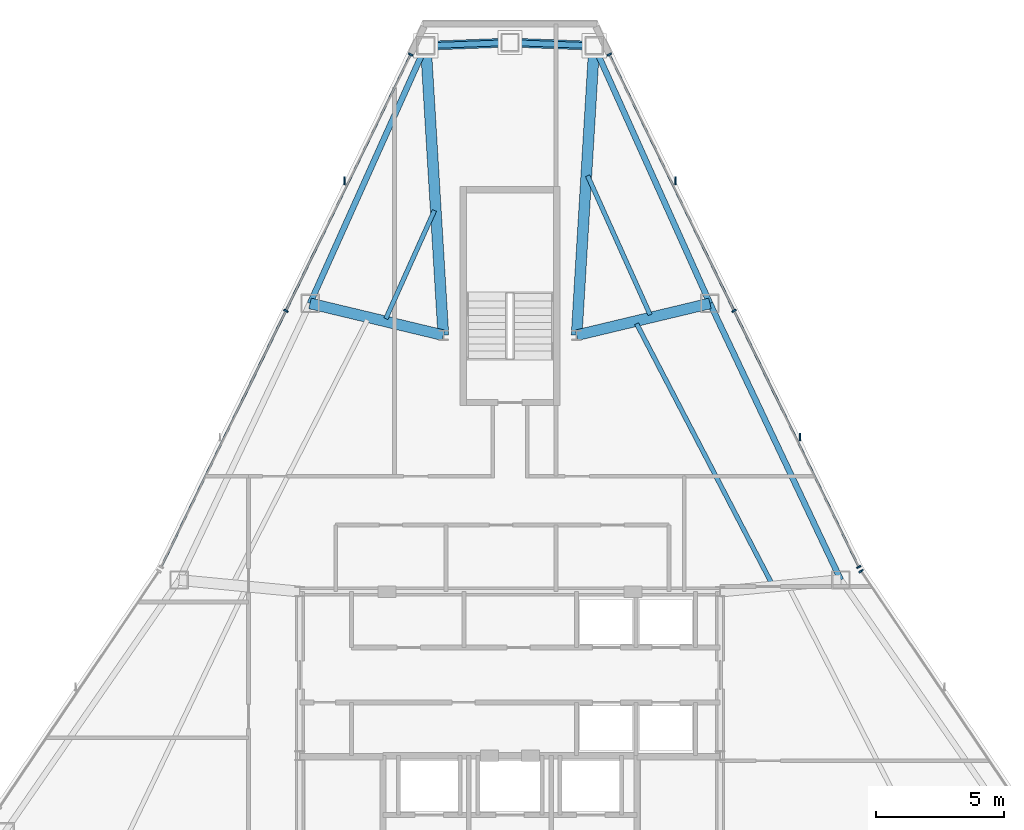
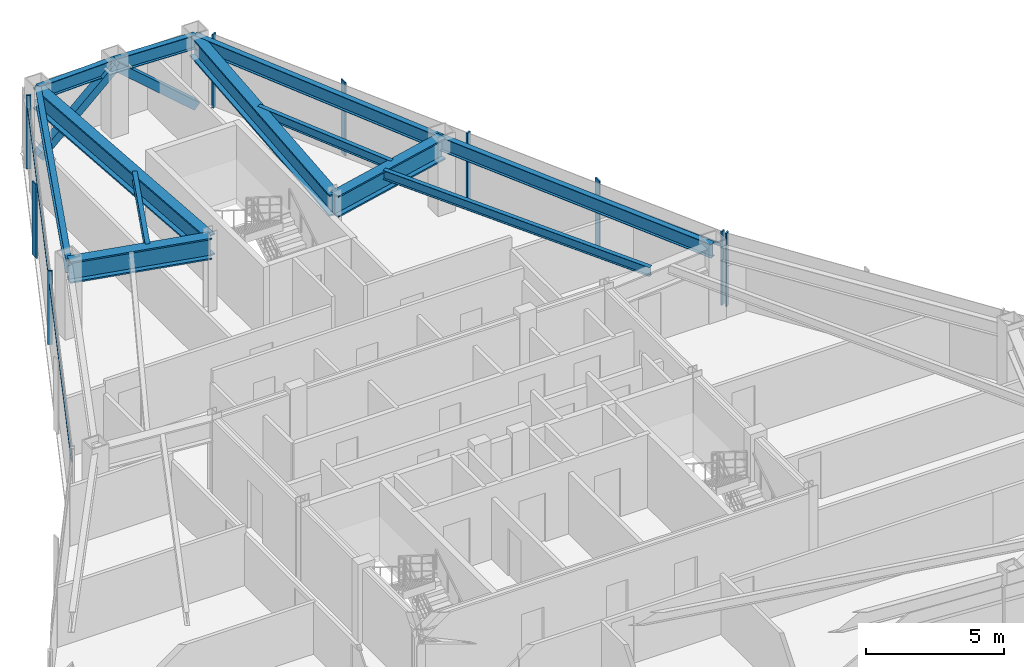
# One storey, part 7 of 12: 13 members, 12 beams, 3 elements without a shape of their own.
"""IFC4 building model written with IfcOpenShell, lengths in metres."""

import ifcopenshell
import ifcopenshell.guid

model = None  # the IFC model being written
_history = None  # IfcOwnerHistory: only IFC2X3 demands one
_inside = {}  # id of a spatial element -> (the spatial element, [elements in it])
_under = {}  # id of a project, library or spatial element -> (it, [spatial elements below it])
_declared = {}  # id of a project -> (the project, [libraries it declares])
_typed = {}  # id of a type object -> (the type object, [elements of that type])
_made_of = {}  # id of a material, layer set ... -> (it, [elements and type objects made of it])


def new_model(schema):
    """Start an empty IFC model of exactly this schema.

    Asked for "IFC4X3", IfcOpenShell would pick the latest addendum, in which some entities
    have other attributes; the version numbers below select the first issue.
    IFC2X3 requires an IfcOwnerHistory on every rooted entity: one is made here for all.
    """
    global model, _history
    if schema == "IFC4X3":
        model = ifcopenshell.file(schema_version=(4, 3, 0, 0))
    else:
        model = ifcopenshell.file(schema=schema)
    _inside.clear()
    _under.clear()
    _declared.clear()
    _typed.clear()
    _made_of.clear()
    _history = None
    if model.schema == "IFC2X3":
        org = make("IfcOrganization", Name="unknown")
        user = make(
            "IfcPersonAndOrganization",
            ThePerson=make("IfcPerson", FamilyName="unknown"),
            TheOrganization=org,
        )
        app = make(
            "IfcApplication",
            ApplicationDeveloper=org,
            Version="unknown",
            ApplicationFullName="unknown",
            ApplicationIdentifier="unknown",
        )
        _history = make(
            "IfcOwnerHistory",
            OwningUser=user,
            OwningApplication=app,
            ChangeAction="ADDED",
            CreationDate=0,
        )
    return model


def make(cls, **values):
    """One entity of the class cls with the attributes given. An attribute that is None is left unset."""
    return model.create_entity(
        cls, **{name: value for name, value in values.items() if value is not None}
    )


def rooted(cls, **values):
    """An entity with a GlobalId (a new one), such as an element, a storey or a relation."""
    return make(cls, GlobalId=ifcopenshell.guid.new(), OwnerHistory=_history, **values)


def si_unit(unit_type, name, prefix=None):
    """IfcSIUnit, for example si_unit("LENGTHUNIT", "METRE", prefix="MILLI")."""
    return make("IfcSIUnit", UnitType=unit_type, Prefix=prefix, Name=name)


def assignment(units):
    """IfcUnitAssignment: the units of a project."""
    return None if units is None else make("IfcUnitAssignment", Units=units)


def point(xyz):
    """IfcCartesianPoint."""
    return None if xyz is None else make("IfcCartesianPoint", Coordinates=xyz)


def direction(xyz):
    """IfcDirection."""
    return None if xyz is None else make("IfcDirection", DirectionRatios=xyz)


def frame(location, z_axis=None, x_axis=None):
    """IfcAxis2Placement3D, a coordinate frame: its origin and axes. An axis left out is left unset."""
    return make(
        "IfcAxis2Placement3D",
        Location=point(location),
        Axis=direction(z_axis),
        RefDirection=direction(x_axis),
    )


def frame_2d(location, x_axis=None):
    """IfcAxis2Placement2D, a coordinate frame in the plane: its origin and x axis."""
    return make(
        "IfcAxis2Placement2D", Location=point(location), RefDirection=direction(x_axis)
    )


def origin():
    """The frame at (0, 0, 0) with its axes left unset."""
    return frame((0.0, 0.0, 0.0))


def origin_2d():
    """The frame at (0, 0) in the plane with its x axis left unset."""
    return frame_2d((0.0, 0.0))


def place(relative_to, where):
    """IfcLocalPlacement: puts the frame where relative to a parent placement (None: the world)."""
    return make(
        "IfcLocalPlacement", PlacementRelTo=relative_to, RelativePlacement=where
    )


def context(
    kind, dimensions, precision=None, world=None, true_north=None, identifier=None
):
    """IfcGeometricRepresentationContext, for example the 3D "Model" context."""
    return make(
        "IfcGeometricRepresentationContext",
        ContextIdentifier=identifier,
        ContextType=kind,
        CoordinateSpaceDimension=dimensions,
        Precision=precision,
        WorldCoordinateSystem=world,
        TrueNorth=true_north,
    )


def subcontext(parent, identifier, kind, view, scale=None):
    """IfcGeometricRepresentationSubContext, for example "Body" below "Model"."""
    return make(
        "IfcGeometricRepresentationSubContext",
        ContextIdentifier=identifier,
        ContextType=kind,
        ParentContext=parent,
        TargetScale=scale,
        TargetView=view,
    )


def project(units=None, contexts=None):
    """IfcProject with its units and contexts."""
    return rooted(
        "IfcProject",
        Name="project",
        RepresentationContexts=contexts,
        UnitsInContext=assignment(units),
    )


def spatial(cls, under=None, at=None, **own):
    """A site, building, storey or space (cls), placed at a placement, below another one or the project."""
    s = rooted(cls, ObjectPlacement=at, **own)
    if under is not None:
        _under.setdefault(under.id(), (under, []))[1].append(s)
    return s


def profile(cls, at=None, kind="AREA", **sizes):
    """A parametric profile (cls). Its sizes go by their IFC names, for example OverallWidth=200.0."""
    return make(cls, ProfileType=kind, Position=at, **sizes)


def rectangle(**sizes):
    """IfcRectangleProfileDef."""
    return profile("IfcRectangleProfileDef", **sizes)


def hollow_rectangle(**sizes):
    """IfcRectangleHollowProfileDef."""
    return profile("IfcRectangleHollowProfileDef", **sizes)


def i_section(**sizes):
    """IfcIShapeProfileDef."""
    return profile("IfcIShapeProfileDef", **sizes)


def extrude(swept, where, along, depth):
    """IfcExtrudedAreaSolid: the profile swept, set in the frame where, extruded along a direction by depth."""
    return make(
        "IfcExtrudedAreaSolid",
        SweptArea=swept,
        Position=where,
        ExtrudedDirection=direction(along),
        Depth=depth,
    )


def shape(context_of_items, identifier, shape_type, items):
    """IfcShapeRepresentation: the items that make up one representation, for example the "Body"."""
    return make(
        "IfcShapeRepresentation",
        ContextOfItems=context_of_items,
        RepresentationIdentifier=identifier,
        RepresentationType=shape_type,
        Items=items,
    )


def source(mapping_origin, context_of_items, identifier, shape_type, items):
    """IfcRepresentationMap: a shape defined once, which mapped items show again and again."""
    return make(
        "IfcRepresentationMap",
        MappingOrigin=mapping_origin,
        MappedRepresentation=shape(context_of_items, identifier, shape_type, items),
    )


def transform(
    local_origin,
    x_axis=None,
    y_axis=None,
    z_axis=None,
    scale=None,
    scale2=None,
    scale3=None,
    uniform=True,
):
    """IfcCartesianTransformationOperator3D, or its non-uniform kind. x_axis, y_axis, z_axis: its Axis1, 2, 3."""
    if uniform:
        return make(
            "IfcCartesianTransformationOperator3D",
            Axis1=direction(x_axis),
            Axis2=direction(y_axis),
            LocalOrigin=point(local_origin),
            Scale=scale,
            Axis3=direction(z_axis),
        )
    return make(
        "IfcCartesianTransformationOperator3DnonUniform",
        Axis1=direction(x_axis),
        Axis2=direction(y_axis),
        LocalOrigin=point(local_origin),
        Scale=scale,
        Axis3=direction(z_axis),
        Scale2=scale2,
        Scale3=scale3,
    )


def mapped(mapping_source, mapping_target):
    """IfcMappedItem: shows the shape of a source again, moved by a transform."""
    return make(
        "IfcMappedItem", MappingSource=mapping_source, MappingTarget=mapping_target
    )


def material(Name=None, Category=None):
    """IfcMaterial."""
    return make("IfcMaterial", Name=Name, Category=Category)


def layer(
    of_material, thickness, ventilated=None, Name=None, Category=None, Priority=None
):
    """IfcMaterialLayer: one layer of a wall or slab, of a material (None: an air gap)."""
    return make(
        "IfcMaterialLayer",
        Material=of_material,
        LayerThickness=thickness,
        IsVentilated=ventilated,
        Name=Name,
        Category=Category,
        Priority=Priority,
    )


def layer_set(layers, Name=None):
    """IfcMaterialLayerSet."""
    return make("IfcMaterialLayerSet", MaterialLayers=layers, LayerSetName=Name)


def material_profile(
    of_material, cross_section, Name=None, Category=None, Priority=None
):
    """IfcMaterialProfile: a cross section and its material."""
    return make(
        "IfcMaterialProfile",
        Name=Name,
        Material=of_material,
        Profile=cross_section,
        Priority=Priority,
        Category=Category,
    )


def profile_set(profiles, Name=None, composite=None):
    """IfcMaterialProfileSet."""
    return make(
        "IfcMaterialProfileSet",
        Name=Name,
        MaterialProfiles=profiles,
        CompositeProfile=composite,
    )


def made_of(thing, what):
    """Note that an element or type object is made of a material, layer set ...; save() writes the relation."""
    if what is not None:
        _made_of.setdefault(what.id(), (what, []))[1].append(thing)
    return thing


def type_object(cls, material=None, **own):
    """A type object (cls), such as IfcWallType, which elements share."""
    return made_of(rooted(cls, **own), material)


def type_shapes(of_type, sources):
    """Give a type object the sources (RepresentationMaps) that its elements show as mapped items."""
    of_type.RepresentationMaps = sources


def element(
    cls,
    number,
    at=None,
    inside=None,
    cuts=None,
    type_object=None,
    material=None,
    context=None,
    identifier="Body",
    shape_type=None,
    held_by="IfcProductDefinitionShape",
    body=None,
    shapes=None,
    **own,
):
    """One element of the class cls, such as IfcWall. Its Tag is "e" and its number.

    at: its placement. inside: the storey or other place that contains it. cuts: it is an
    opening in that element (IfcRelVoidsElement). A single representation is given by context,
    identifier, shape_type and body (its items); several are given by shapes. held_by: the class
    of the entity that holds the representations. save() writes the other relations.
    """
    e = rooted(cls, Tag="e%d" % number, ObjectPlacement=at, **own)
    if body is not None:
        shapes = [shape(context, identifier, shape_type, body)]
    if shapes is not None:
        e.Representation = make(held_by, Representations=shapes)
    if inside is not None:
        _inside.setdefault(inside.id(), (inside, []))[1].append(e)
    if cuts is not None:
        rooted(
            "IfcRelVoidsElement", RelatingBuildingElement=cuts, RelatedOpeningElement=e
        )
    if type_object is not None:
        _typed.setdefault(type_object.id(), (type_object, []))[1].append(e)
    return made_of(e, material)


def aggregate(whole, parts):
    """IfcRelAggregates: a whole, such as a stair, and the parts it consists of."""
    return rooted("IfcRelAggregates", RelatingObject=whole, RelatedObjects=parts)


def save(model, path):
    """Write the relations noted so far, then the file.

    IfcRelAggregates (storeys below a building ...), IfcRelContainedInSpatialStructure (elements
    in a storey), IfcRelDefinesByType, IfcRelAssociatesMaterial and IfcRelDeclares: one each for
    every whole, place, type object, material and project.
    """
    for whole, parts in _under.values():
        aggregate(whole, parts)
    for where, things in _inside.values():
        rooted(
            "IfcRelContainedInSpatialStructure",
            RelatedElements=things,
            RelatingStructure=where,
        )
    for kind, things in _typed.values():
        rooted("IfcRelDefinesByType", RelatedObjects=things, RelatingType=kind)
    for what, things in _made_of.values():
        rooted("IfcRelAssociatesMaterial", RelatedObjects=things, RelatingMaterial=what)
    for by, libraries in _declared.values():
        rooted("IfcRelDeclares", RelatingContext=by, RelatedDefinitions=libraries)
    model.write(path)


model = new_model("IFC4")

# Units and contexts
model_context = context("Model", 3, precision=1e-05, world=origin(), true_north=direction((0.0, 1.0)))
body_context = subcontext(model_context, "Body", "Model", "MODEL_VIEW")
ifc_project = project(units=[si_unit("LENGTHUNIT", "METRE"), si_unit("AREAUNIT", "SQUARE_METRE"), si_unit("VOLUMEUNIT", "CUBIC_METRE"), si_unit("PLANEANGLEUNIT", "RADIAN"), si_unit("MASSUNIT", "GRAM", prefix="KILO")], contexts=[model_context])

# Site, building, storey
site_placement = place(None, origin())
site = spatial("IfcSite", under=ifc_project, at=site_placement, CompositionType="ELEMENT")
building_placement = place(site_placement, origin())
building = spatial("IfcBuilding", under=site, at=building_placement, Name="Varakhsha Concourse Tower", CompositionType="ELEMENT")
storey_placement = place(building_placement, frame((0.0, 0.0, 204.89990234375)))
storey = spatial("IfcBuildingStorey", under=building, at=storey_placement, Name="L58", CompositionType="ELEMENT", Elevation=204.89990234375)

# Beams
ifc_material_1 = material(Name="Structural Steel ASTM A992 Grade 50", Category="steel")
ifc_material_profile_1 = material_profile(ifc_material_1, i_section(OverallWidth=0.177978515625, OverallDepth=0.406982421875, WebThickness=0.008056640625, FlangeThickness=0.012939453125, at=origin_2d()), Name="W16X40")
ifc_profile_set_1 = profile_set([ifc_material_profile_1], Name="Structural Steel ASTM A992 Grade 50")
beam_type_1 = type_object("IfcBeamType", Name="BM-JST-W16X40", PredefinedType="JOIST", material=ifc_profile_set_1)
beam_1_placement = place(storey_placement, frame((37.05419921875, 46.068359375, 3.046630859375), z_axis=(-0.409947870427, -0.912108953762, 0.0), x_axis=(0.912108953762, -0.409947870427, 0.0)))
element("IfcBeam", 1, at=beam_1_placement, inside=storey, type_object=beam_type_1, Name="BM-TJST-L58-03", PredefinedType="JOIST", context=body_context, shape_type="SweptSolid", body=[
    extrude(i_section(OverallWidth=0.177978515625, OverallDepth=0.406982421875, WebThickness=0.008056640625, FlangeThickness=0.012939453125, at=origin_2d()), origin(), (0.0, 0.0, 1.0), 4.6279296875),
])
beam_2_placement = place(storey_placement, frame((50.219970703125, 31.49609375, 3.046630859375), z_axis=(-0.461466246879, 0.887157766686, 0.0), x_axis=(-0.887157766686, -0.461466246879, 0.0)))
element("IfcBeam", 2, at=beam_2_placement, inside=storey, type_object=beam_type_1, Name="BM-TJST-L58-17", PredefinedType="JOIST", context=body_context, shape_type="SweptSolid", body=[
    extrude(i_section(OverallWidth=0.177978515625, OverallDepth=0.406982421875, WebThickness=0.008056640625, FlangeThickness=0.012939453125, at=origin_2d()), origin(), (0.0, 0.0, 1.0), 11.444580078125),
])
beam_3_placement = place(storey_placement, frame((45.466796875, 41.99609375, 3.046630859375), z_axis=(-0.409938117482, 0.912113337166, 0.0), x_axis=(-0.912113337166, -0.409938117482, 0.0)))
element("IfcBeam", 3, at=beam_3_placement, inside=storey, type_object=beam_type_1, Name="BM-TJST-L58-18", PredefinedType="JOIST", context=body_context, shape_type="SweptSolid", body=[
    extrude(i_section(OverallWidth=0.177978515625, OverallDepth=0.406982421875, WebThickness=0.008056640625, FlangeThickness=0.012939453125, at=origin_2d()), origin(), (0.0, 0.0, 1.0), 5.9501953125),
])
ifc_material_profile_2 = material_profile(ifc_material_1, i_section(OverallWidth=0.423095703125, OverallDepth=0.947998046875, WebThickness=0.0380859375, FlangeThickness=0.06396484375, at=origin_2d()), Name="W36X302")
ifc_profile_set_2 = profile_set([ifc_material_profile_2], Name="Structural Steel ASTM A992 Grade 50")
beam_type_2 = type_object("IfcBeamType", Name="BM-OUTR-W36X302", PredefinedType="USERDEFINED", material=ifc_profile_set_2)
for number, where, z_axis, x_axis, name in (
    (4, (42.60009765625, 41.199951171875, 2.776123046875), (0.060381689378, 0.99817536114, 0.0), (-0.99817536114, 0.060381689378, 0.0), "L58 Radial Floor Girder 01"),
    (5, (37.39990234375, 41.199951171875, 2.776123046875), (-0.060381689378, 0.99817536114, 0.0), (-0.99817536114, -0.060381689378, 0.0), "L58 Radial Floor Girder 03"),
):
    element("IfcBeam", number, at=place(storey_placement, frame(where, z_axis=z_axis, x_axis=x_axis)), inside=storey, type_object=beam_type_2, Name=name, ObjectType="GIRDER", PredefinedType="USERDEFINED", context=body_context, shape_type="SweptSolid", body=[
        extrude(i_section(OverallWidth=0.423095703125, OverallDepth=0.947998046875, WebThickness=0.0380859375, FlangeThickness=0.06396484375, at=origin_2d()), origin(), (0.0, 0.0, 1.0), 11.313232421875),
    ])
for number, where, z_axis, x_axis, name in (
    (6, (37.39990234375, 41.199951171875, 2.776123046875), (-0.972612339094, 0.232433297619, 0.0), (-0.232433297619, -0.972612339094, 0.0), "L58 Radial Floor Girder 04"),
    (7, (42.60009765625, 41.199951171875, 2.776123046875), (0.972612339094, 0.232433297619, 0.0), (-0.232433297619, 0.972612339094, 0.0), "L58 Radial Floor Girder 18"),
):
    element("IfcBeam", number, at=place(storey_placement, frame(where, z_axis=z_axis, x_axis=x_axis)), inside=storey, type_object=beam_type_2, Name=name, ObjectType="GIRDER", PredefinedType="USERDEFINED", context=body_context, shape_type="SweptSolid", body=[
        extrude(i_section(OverallWidth=0.423095703125, OverallDepth=0.947998046875, WebThickness=0.0380859375, FlangeThickness=0.06396484375, at=origin_2d()), origin(), (0.0, 0.0, 1.0), 5.346435546875),
    ])
ifc_material_profile_3 = material_profile(ifc_material_1, i_section(OverallWidth=0.22900390625, OverallDepth=0.612060546875, WebThickness=0.011962890625, FlangeThickness=0.02001953125, at=origin_2d()), Name="W24X84")
ifc_profile_set_3 = profile_set([ifc_material_profile_3], Name="Structural Steel ASTM A992 Grade 50")
beam_type_3 = type_object("IfcBeamType", Name="BM-SPAN-W24X84", PredefinedType="SPANDREL", material=ifc_profile_set_3)
for number, where, z_axis, x_axis, name in (
    (8, (43.283203125, 52.492431640625, 2.944091796875), (-0.999273198752, 0.038119211106, 0.0), (-0.038119211106, -0.999273198752, 0.0), "BM-SPAN-L58-01"),
    (9, (40.0, 52.61767578125, 2.944091796875), (-0.999273198752, -0.038119211106, 0.0), (0.038119211106, -0.999273198752, 0.0), "BM-SPAN-L58-02"),
):
    element("IfcBeam", number, at=place(storey_placement, frame(where, z_axis=z_axis, x_axis=x_axis)), inside=storey, type_object=beam_type_3, Name=name, PredefinedType="SPANDREL", context=body_context, shape_type="SweptSolid", body=[
        extrude(i_section(OverallWidth=0.22900390625, OverallDepth=0.612060546875, WebThickness=0.011962890625, FlangeThickness=0.02001953125, at=origin_2d()), origin(), (0.0, 0.0, 1.0), 3.28564453125),
    ])
beam_4_placement = place(storey_placement, frame((36.716796875, 52.492431640625, 2.944091796875), z_axis=(-0.40994450771, -0.912110465129, 0.0), x_axis=(0.912110465129, -0.40994450771, 0.0)))
element("IfcBeam", 10, at=beam_4_placement, inside=storey, type_object=beam_type_3, Name="BM-SPAN-L58-03", PredefinedType="SPANDREL", context=body_context, shape_type="SweptSolid", body=[
    extrude(i_section(OverallWidth=0.22900390625, OverallDepth=0.612060546875, WebThickness=0.011962890625, FlangeThickness=0.02001953125, at=origin_2d()), origin(), (0.0, 0.0, 1.0), 11.01806640625),
])
beam_5_placement = place(storey_placement, frame((52.90625, 31.651611328125, 2.944091796875), z_axis=(-0.427721486509, 0.903910576318, 0.0), x_axis=(-0.903910576318, -0.427721486509, 0.0)))
element("IfcBeam", 11, at=beam_5_placement, inside=storey, type_object=beam_type_3, Name="BM-SPAN-L58-17", PredefinedType="SPANDREL", context=body_context, shape_type="SweptSolid", body=[
    extrude(i_section(OverallWidth=0.22900390625, OverallDepth=0.612060546875, WebThickness=0.011962890625, FlangeThickness=0.02001953125, at=origin_2d()), origin(), (0.0, 0.0, 1.0), 11.938232421875),
])
beam_6_placement = place(storey_placement, frame((47.800048828125, 42.442626953125, 2.944091796875), z_axis=(-0.40994450771, 0.912110465129, 0.0), x_axis=(-0.912110465129, -0.40994450771, 0.0)))
element("IfcBeam", 12, at=beam_6_placement, inside=storey, type_object=beam_type_3, Name="BM-SPAN-L58-18", PredefinedType="SPANDREL", context=body_context, shape_type="SweptSolid", body=[
    extrude(i_section(OverallWidth=0.22900390625, OverallDepth=0.612060546875, WebThickness=0.011962890625, FlangeThickness=0.02001953125, at=origin_2d()), origin(), (0.0, 0.0, 1.0), 11.01806640625),
])

# Members
ifc_material_2 = material(Name="Structural Steel ASTM A500 Grade C", Category="steel")
ifc_material_profile_4 = material_profile(ifc_material_2, hollow_rectangle(XDim=0.35009765625, YDim=0.35009765625, WallThickness=0.01611328125, at=origin_2d()), Name="HSS 350x350x16")
ifc_profile_set_4 = profile_set([ifc_material_profile_4], Name="Structural Steel ASTM A500 Grade C")
member_type_1 = type_object("IfcMemberType", Name="MB-TUBE-HSS350", PredefinedType="BRACE", material=ifc_profile_set_4)
shared_shape_1 = source(origin(), body_context, "Body", "SweptSolid", [
    extrude(hollow_rectangle(XDim=0.35009765625, YDim=0.35009765625, WallThickness=0.01611328125, at=origin_2d()), origin(), (0.0, 0.0, 1.0), 4.33642578125),
])
type_shapes(member_type_1, [shared_shape_1])
for number, where, z_axis, x_axis, name in (
    (13, (43.283203125, 52.492431640625, 0.1201171875), (-0.757124713956, 0.02888198827, 0.6526315946), (-0.038119211106, -0.999273198752, 0.0), "L58 Wind-Corner Tube Brace B01"),
    (14, (36.716796875, 52.492431640625, 0.1201171875), (0.757124713956, 0.02888198827, 0.6526315946), (-0.038119211106, 0.999273198752, 0.0), "L58 Wind-Corner Tube Brace B02"),
):
    element("IfcMember", number, at=place(storey_placement, frame(where, z_axis=z_axis, x_axis=x_axis)), inside=storey, type_object=member_type_1, Name=name, PredefinedType="BRACE", context=body_context, shape_type="MappedRepresentation", body=[
        mapped(shared_shape_1, transform((0.0, 0.0, 0.0), scale=1.0)),
    ])

# Curtain wall, members
ifc_material_3 = material(Name="Anodised Bronze Architectural Aluminium AA 6063-T6", Category="aluminium")
ifc_layer = layer(ifc_material_3, 0.199951171875, Name="CW-SYS-05")
ifc_layer_set = layer_set([ifc_layer], Name="Anodised Bronze Architectural Aluminium AA 6063-T6")
curtain_wall_type = type_object("IfcCurtainWallType", Name="CW-SYS-05", PredefinedType="NOTDEFINED", material=ifc_layer_set)
curtain_wall_1_placement = place(storey_placement, origin())
curtain_wall_1 = element("IfcCurtainWall", 15, at=curtain_wall_1_placement, inside=storey, type_object=curtain_wall_type, Name="L58 Crystal Curtain Wall F2", PredefinedType="NOTDEFINED")
ifc_material_profile_5 = material_profile(ifc_material_3, rectangle(XDim=0.06494140625, YDim=0.179931640625, at=origin_2d()), Name="CWM-180X65")
ifc_profile_set_5 = profile_set([ifc_material_profile_5], Name="Anodised Bronze Architectural Aluminium AA 6063-T6")
member_type_2 = type_object("IfcMemberType", Name="CWM-180X65", PredefinedType="MULLION", material=ifc_profile_set_5)
shared_shape_2 = source(origin(), body_context, "Body", "SweptSolid", [
    extrude(rectangle(XDim=0.06494140625, YDim=0.179931640625, at=origin_2d()), origin(), (0.0, 0.0, 1.0), 3.25),
])
type_shapes(member_type_2, [shared_shape_2])
member_1_placement = place(storey_placement, frame((31.259521484375, 42.155029296875, 0.0), z_axis=(0.0, 0.0, 1.0), x_axis=(0.437497178592, 0.899219783325, 0.0)))
member_1 = element("IfcMember", 16, at=member_1_placement, type_object=member_type_2, Name="CW-L58-F2 Mullion 01", PredefinedType="MULLION", context=body_context, shape_type="MappedRepresentation", body=[
    mapped(shared_shape_2, transform((0.0, 0.0, 0.0), scale=1.0)),
])
member_2_placement = place(storey_placement, frame((36.12255859375, 52.15087890625, 0.0), z_axis=(0.0, 0.0, 1.0), x_axis=(0.437497178592, 0.899219783325, 0.0)))
member_2 = element("IfcMember", 17, at=member_2_placement, type_object=member_type_2, Name="CW-L58-F2 Mullion 02", PredefinedType="MULLION", context=body_context, shape_type="MappedRepresentation", body=[
    mapped(shared_shape_2, transform((0.0, 0.0, 0.0), scale=1.0)),
])

# Curtain wall, member
curtain_wall_2_placement = place(storey_placement, origin())
curtain_wall_2 = element("IfcCurtainWall", 18, at=curtain_wall_2_placement, inside=storey, type_object=curtain_wall_type, Name="L58 Crystal Curtain Wall F8", PredefinedType="NOTDEFINED")
member_3_placement = place(storey_placement, frame((53.69482421875, 32.001708984375, 0.0), z_axis=(0.0, 0.0, 1.0), x_axis=(0.559998586649, -0.828493562408, 0.0)))
member_3 = element("IfcMember", 19, at=member_3_placement, type_object=member_type_2, Name="CW-L58-F8 Mullion 00", PredefinedType="MULLION", context=body_context, shape_type="MappedRepresentation", body=[
    mapped(shared_shape_2, transform((0.0, 0.0, 0.0), scale=1.0)),
])
aggregate(curtain_wall_2, [member_3])

# Curtain wall, members
curtain_wall_3_placement = place(storey_placement, origin())
curtain_wall_3 = element("IfcCurtainWall", 20, at=curtain_wall_3_placement, inside=storey, type_object=curtain_wall_type, Name="L58 Crystal Curtain Wall F9", PredefinedType="NOTDEFINED")
member_4_placement = place(storey_placement, frame((43.87744140625, 52.15087890625, 0.0), z_axis=(0.0, 0.0, 1.0), x_axis=(0.437497178592, -0.899219783325, 0.0)))
member_4 = element("IfcMember", 21, at=member_4_placement, type_object=member_type_2, Name="CW-L58-F9 Mullion 00", PredefinedType="MULLION", context=body_context, shape_type="MappedRepresentation", body=[
    mapped(shared_shape_2, transform((0.0, 0.0, 0.0), scale=1.0)),
])
member_5_placement = place(storey_placement, frame((48.740478515625, 42.1552734375, 0.0), z_axis=(0.0, 0.0, 1.0), x_axis=(0.437497178592, -0.899219783325, 0.0)))
member_5 = element("IfcMember", 22, at=member_5_placement, type_object=member_type_2, Name="CW-L58-F9 Mullion 01", PredefinedType="MULLION", context=body_context, shape_type="MappedRepresentation", body=[
    mapped(shared_shape_2, transform((0.0, 0.0, 0.0), scale=1.0)),
])
member_6_placement = place(storey_placement, frame((53.603759765625, 32.159423828125, 0.0), z_axis=(0.0, 0.0, 1.0), x_axis=(0.437497178592, -0.899219783325, 0.0)))
member_6 = element("IfcMember", 23, at=member_6_placement, type_object=member_type_2, Name="CW-L58-F9 Mullion 02", PredefinedType="MULLION", context=body_context, shape_type="MappedRepresentation", body=[
    mapped(shared_shape_2, transform((0.0, 0.0, 0.0), scale=1.0)),
])

# Member
ifc_material_profile_6 = material_profile(ifc_material_3, rectangle(XDim=0.06005859375, YDim=0.139892578125, at=origin_2d()), Name="CWT-140X60")
ifc_profile_set_6 = profile_set([ifc_material_profile_6], Name="Anodised Bronze Architectural Aluminium AA 6063-T6")
member_type_3 = type_object("IfcMemberType", Name="CWT-140X60", PredefinedType="USERDEFINED", material=ifc_profile_set_6)
shared_shape_3 = source(origin(), body_context, "Body", "SweptSolid", [
    extrude(rectangle(XDim=0.06005859375, YDim=0.139892578125, at=origin_2d()), origin(), (0.0, 0.0, 1.0), 22.23193359375),
])
type_shapes(member_type_3, [shared_shape_3])
member_7_placement = place(storey_placement, frame((26.396240234375, 32.159423828125, 2.60009765625), z_axis=(0.437492838403, 0.899221894944, 0.0), x_axis=(-0.899221894944, 0.437492838403, 0.0)))
member_7 = element("IfcMember", 24, at=member_7_placement, type_object=member_type_3, Name="CW-L58-F2 Transom 01", ObjectType="TRANSOM", PredefinedType="USERDEFINED", context=body_context, shape_type="MappedRepresentation", body=[
    mapped(shared_shape_3, transform((0.0, 0.0, 0.0), scale=1.0)),
])

member_8_placement = place(storey_placement, frame((43.87744140625, 52.15087890625, 2.60009765625), z_axis=(0.437492838403, -0.899221894944, 0.0), x_axis=(0.899221894944, 0.437492838403, 0.0)))
member_8 = element("IfcMember", 25, at=member_8_placement, type_object=member_type_3, Name="CW-L58-F9 Transom 01", ObjectType="TRANSOM", PredefinedType="USERDEFINED", context=body_context, shape_type="MappedRepresentation", body=[
    mapped(shared_shape_3, transform((0.0, 0.0, 0.0), scale=1.0)),
])

ifc_material_profile_7 = material_profile(ifc_material_3, rectangle(XDim=0.054931640625, YDim=0.300048828125, at=origin_2d()), Name="FIN-BRZ-300")
ifc_profile_set_7 = profile_set([ifc_material_profile_7], Name="Anodised Bronze Architectural Aluminium AA 6063-T6")
member_type_4 = type_object("IfcMemberType", Name="FIN-BRZ-300", PredefinedType="USERDEFINED", material=ifc_profile_set_7)
shared_shape_4 = source(origin(), body_context, "Body", "SweptSolid", [
    extrude(rectangle(XDim=0.054931640625, YDim=0.300048828125, at=origin_2d()), origin(), (0.0, 0.0, 1.0), 3.25),
])
type_shapes(member_type_4, [shared_shape_4])
member_9_placement = place(storey_placement, frame((33.54248046875, 47.22509765625, 0.0), z_axis=(0.0, 0.0, 1.0), x_axis=(1.0, 0.0, 0.0)))
member_9 = element("IfcMember", 26, at=member_9_placement, type_object=member_type_4, Name="L58 Anodised Bronze Solar Fin F2-2", ObjectType="SOLAR FIN", PredefinedType="USERDEFINED", context=body_context, shape_type="MappedRepresentation", body=[
    mapped(shared_shape_4, transform((0.0, 0.0, 0.0), scale=1.0)),
])

aggregate(curtain_wall_1, [member_1, member_2, member_7, member_9])

member_10_placement = place(storey_placement, frame((46.45751953125, 47.22509765625, 0.0), z_axis=(0.0, 0.0, 1.0), x_axis=(1.0, 0.0, 0.0)))
member_10 = element("IfcMember", 27, at=member_10_placement, type_object=member_type_4, Name="L58 Anodised Bronze Solar Fin F9-1", ObjectType="SOLAR FIN", PredefinedType="USERDEFINED", context=body_context, shape_type="MappedRepresentation", body=[
    mapped(shared_shape_4, transform((0.0, 0.0, 0.0), scale=1.0)),
])

member_11_placement = place(storey_placement, frame((51.320556640625, 37.2294921875, 0.0), z_axis=(0.0, 0.0, 1.0), x_axis=(1.0, 0.0, 0.0)))
member_11 = element("IfcMember", 28, at=member_11_placement, type_object=member_type_4, Name="L58 Anodised Bronze Solar Fin F9-2", ObjectType="SOLAR FIN", PredefinedType="USERDEFINED", context=body_context, shape_type="MappedRepresentation", body=[
    mapped(shared_shape_4, transform((0.0, 0.0, 0.0), scale=1.0)),
])

aggregate(curtain_wall_3, [member_4, member_5, member_6, member_8, member_10, member_11])

save(model, "model.ifc")
